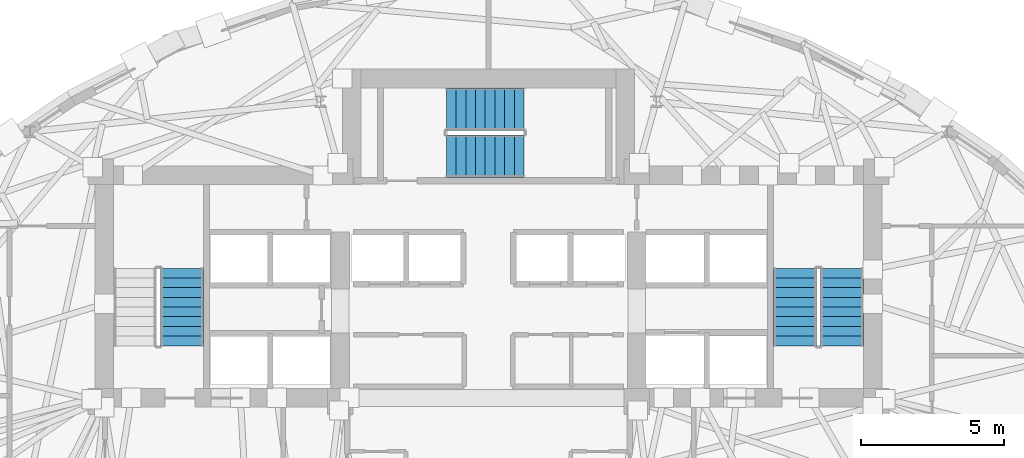
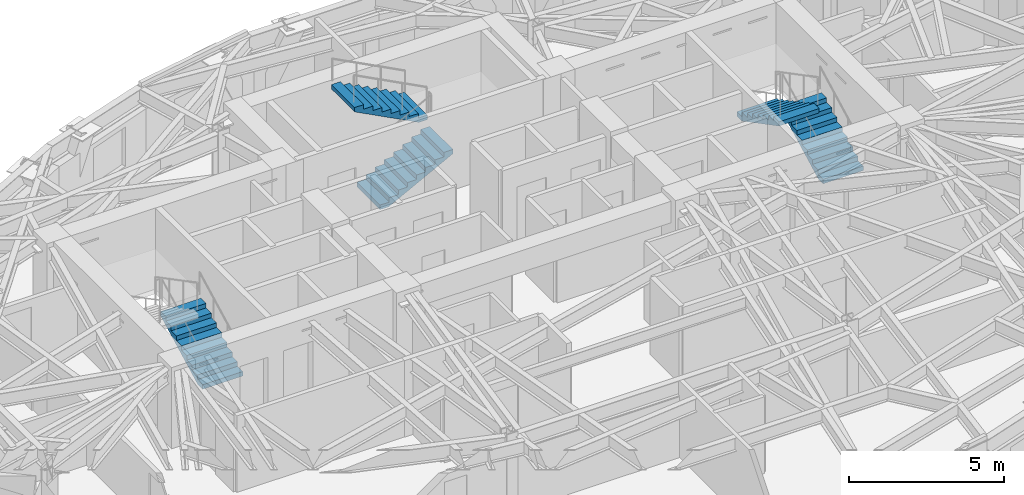
# One storey, part 11 of 15: 5 stair flights, 3 elements without a shape of their own.
"""IFC4 building model written with IfcOpenShell, lengths in metres."""

from ifc_helpers import new_model, si_unit, direction, frame, origin, place, context, subcontext, project, spatial, polyline, outline, extrude, material, type_object, element, aggregate, save


model = new_model("IFC4")

# Units and contexts
model_context = context("Model", 3, precision=1e-05, world=origin(), true_north=direction((0.0, 1.0)))
body_context = subcontext(model_context, "Body", "Model", "MODEL_VIEW")
ifc_project = project(units=[si_unit("LENGTHUNIT", "METRE"), si_unit("AREAUNIT", "SQUARE_METRE"), si_unit("VOLUMEUNIT", "CUBIC_METRE"), si_unit("PLANEANGLEUNIT", "RADIAN"), si_unit("MASSUNIT", "GRAM", prefix="KILO")], contexts=[model_context])

# Site, building, storey
site_placement = place(None, origin())
site = spatial("IfcSite", under=ifc_project, at=site_placement, CompositionType="ELEMENT")
building_placement = place(site_placement, origin())
building = spatial("IfcBuilding", under=site, at=building_placement, Name="Keldmark Tower", CompositionType="ELEMENT")
storey_placement = place(building_placement, frame((0.0, 0.0, 195.0)))
storey = spatial("IfcBuildingStorey", under=building, at=storey_placement, Name="L54", CompositionType="ELEMENT", Elevation=195.0)

# Stair, stair flight
ifc_material_1 = material(Name="Concrete C40/50", Category="concrete")
stair_type = type_object("IfcStairType", Name="Precast Concrete Core Exit Stair", PredefinedType="HALF_TURN_STAIR", material=ifc_material_1)
stair_1_placement = place(storey_placement, origin())
stair_1 = element("IfcStair", 1, at=stair_1_placement, inside=storey, type_object=stair_type, Name="L54 Exit Stair ST1", PredefinedType="HALF_TURN_STAIR")
ifc_material_2 = material(Name="Concrete C40/50", Category="concrete")
stair_flight_type = type_object("IfcStairFlightType", Name="Precast Concrete Stair Flight 1500 mm", PredefinedType="STRAIGHT", material=ifc_material_2)
stair_flight_1_placement = place(storey_placement, frame((-10.75, 3.35009765625, 0.0), z_axis=(0.0, 0.0, 1.0), x_axis=(0.0, 1.0, 0.0)))
stair_flight_1 = element("IfcStairFlight", 2, at=stair_flight_1_placement, type_object=stair_flight_type, Name="ST1 flight 1", NumberOfRisers=9, NumberOfTreads=8, PredefinedType="STRAIGHT", RiserHeight=0.177777778, TreadLength=0.34, context=body_context, shape_type="SweptSolid", body=[
    extrude(outline(polyline([(0.0, 0.0), (0.0, 0.177734375), (0.340087890625, 0.177734375), (0.340087890625, 0.35546875), (0.679931640625, 0.35546875), (0.679931640625, 0.533447265625), (1.02001953125, 0.533447265625), (1.02001953125, 0.711181640625), (1.360107421875, 0.711181640625), (1.360107421875, 0.888916015625), (1.699951171875, 0.888916015625), (1.699951171875, 1.066650390625), (2.0400390625, 1.066650390625), (2.0400390625, 1.244384765625), (2.3798828125, 1.244384765625), (2.3798828125, 1.422119140625), (2.719970703125, 1.422119140625), (2.719970703125, 1.60009765625), (2.719970703125, 1.253173828125), (0.323486328125, 0.0), (0.0, 0.0)])), frame((0.0, 0.75, 0.0), z_axis=(0.0, -1.0, 0.0), x_axis=(1.0, 0.0, 0.0)), (0.0, 0.0, 1.0), 1.5),
])
aggregate(stair_1, [stair_flight_1])

# Stair, stair flights
stair_2_placement = place(storey_placement, origin())
stair_2 = element("IfcStair", 3, at=stair_2_placement, inside=storey, type_object=stair_type, Name="L54 Exit Stair ST2", PredefinedType="HALF_TURN_STAIR")
stair_flight_2_placement = place(storey_placement, frame((12.39990234375, 3.35009765625, 0.0), z_axis=(0.0, 0.0, 1.0), x_axis=(0.0, 1.0, 0.0)))
stair_flight_2 = element("IfcStairFlight", 4, at=stair_flight_2_placement, type_object=stair_flight_type, Name="ST2 flight 1", NumberOfRisers=9, NumberOfTreads=8, PredefinedType="STRAIGHT", RiserHeight=0.177777778, TreadLength=0.34, context=body_context, shape_type="SweptSolid", body=[
    extrude(outline(polyline([(0.0, 0.0), (0.0, 0.177734375), (0.340087890625, 0.177734375), (0.340087890625, 0.35546875), (0.679931640625, 0.35546875), (0.679931640625, 0.533447265625), (1.02001953125, 0.533447265625), (1.02001953125, 0.711181640625), (1.360107421875, 0.711181640625), (1.360107421875, 0.888916015625), (1.699951171875, 0.888916015625), (1.699951171875, 1.066650390625), (2.0400390625, 1.066650390625), (2.0400390625, 1.244384765625), (2.3798828125, 1.244384765625), (2.3798828125, 1.422119140625), (2.719970703125, 1.422119140625), (2.719970703125, 1.60009765625), (2.719970703125, 1.253173828125), (0.323486328125, 0.0), (0.0, 0.0)])), frame((0.0, 0.75, 0.0), z_axis=(0.0, -1.0, 0.0), x_axis=(1.0, 0.0, 0.0)), (0.0, 0.0, 1.0), 1.5),
])
stair_flight_3_placement = place(storey_placement, frame((10.75, 6.070068359375, 1.60009765625), z_axis=(0.0, 0.0, 1.0), x_axis=(0.0, -1.0, 0.0)))
stair_flight_3 = element("IfcStairFlight", 5, at=stair_flight_3_placement, type_object=stair_flight_type, Name="ST2 flight 2", NumberOfRisers=9, NumberOfTreads=8, PredefinedType="STRAIGHT", RiserHeight=0.177777778, TreadLength=0.34, context=body_context, shape_type="SweptSolid", body=[
    extrude(outline(polyline([(0.0, 0.0), (0.0, 0.177734375), (0.340087890625, 0.177734375), (0.340087890625, 0.35546875), (0.679931640625, 0.35546875), (0.679931640625, 0.533447265625), (1.02001953125, 0.533447265625), (1.02001953125, 0.711181640625), (1.360107421875, 0.711181640625), (1.360107421875, 0.888916015625), (1.699951171875, 0.888916015625), (1.699951171875, 1.066650390625), (2.0400390625, 1.066650390625), (2.0400390625, 1.244384765625), (2.3798828125, 1.244384765625), (2.3798828125, 1.422119140625), (2.719970703125, 1.422119140625), (2.719970703125, 1.60009765625), (2.719970703125, 1.253173828125), (0.323486328125, 0.0), (0.0, 0.0)])), frame((0.0, 0.75, 0.0), z_axis=(0.0, -1.0, 0.0), x_axis=(1.0, 0.0, 0.0)), (0.0, 0.0, 1.0), 1.5),
])
aggregate(stair_2, [stair_flight_2, stair_flight_3])

stair_3_placement = place(storey_placement, origin())
stair_3 = element("IfcStair", 6, at=stair_3_placement, inside=storey, type_object=stair_type, Name="L54 Exit Stair ST3", PredefinedType="HALF_TURN_STAIR")
stair_flight_4_placement = place(storey_placement, frame((-1.47509765625, 10.0, 0.0), z_axis=(0.0, 0.0, 1.0), x_axis=(1.0, 0.0, 0.0)))
stair_flight_4 = element("IfcStairFlight", 7, at=stair_flight_4_placement, type_object=stair_flight_type, Name="ST3 flight 1", NumberOfRisers=9, NumberOfTreads=8, PredefinedType="STRAIGHT", RiserHeight=0.177777778, TreadLength=0.34, context=body_context, shape_type="SweptSolid", body=[
    extrude(outline(polyline([(0.0, 0.0), (0.0, 0.177734375), (0.340087890625, 0.177734375), (0.340087890625, 0.35546875), (0.679931640625, 0.35546875), (0.679931640625, 0.533447265625), (1.02001953125, 0.533447265625), (1.02001953125, 0.711181640625), (1.360107421875, 0.711181640625), (1.360107421875, 0.888916015625), (1.699951171875, 0.888916015625), (1.699951171875, 1.066650390625), (2.0400390625, 1.066650390625), (2.0400390625, 1.244384765625), (2.3798828125, 1.244384765625), (2.3798828125, 1.422119140625), (2.719970703125, 1.422119140625), (2.719970703125, 1.60009765625), (2.719970703125, 1.253173828125), (0.323486328125, 0.0), (0.0, 0.0)])), frame((0.0, 0.75, 0.0), z_axis=(0.0, -1.0, 0.0), x_axis=(1.0, 0.0, 0.0)), (0.0, 0.0, 1.0), 1.5),
])
stair_flight_5_placement = place(storey_placement, frame((1.2451171875, 11.64990234375, 1.60009765625), z_axis=(0.0, 0.0, 1.0), x_axis=(-1.0, 0.0, 0.0)))
stair_flight_5 = element("IfcStairFlight", 8, at=stair_flight_5_placement, type_object=stair_flight_type, Name="ST3 flight 2", NumberOfRisers=9, NumberOfTreads=8, PredefinedType="STRAIGHT", RiserHeight=0.177777778, TreadLength=0.34, context=body_context, shape_type="SweptSolid", body=[
    extrude(outline(polyline([(0.0, 0.0), (0.0, 0.177734375), (0.340087890625, 0.177734375), (0.340087890625, 0.35546875), (0.679931640625, 0.35546875), (0.679931640625, 0.533447265625), (1.02001953125, 0.533447265625), (1.02001953125, 0.711181640625), (1.360107421875, 0.711181640625), (1.360107421875, 0.888916015625), (1.699951171875, 0.888916015625), (1.699951171875, 1.066650390625), (2.0400390625, 1.066650390625), (2.0400390625, 1.244384765625), (2.3798828125, 1.244384765625), (2.3798828125, 1.422119140625), (2.719970703125, 1.422119140625), (2.719970703125, 1.60009765625), (2.719970703125, 1.253173828125), (0.323486328125, 0.0), (0.0, 0.0)])), frame((0.0, 0.75, 0.0), z_axis=(0.0, -1.0, 0.0), x_axis=(1.0, 0.0, 0.0)), (0.0, 0.0, 1.0), 1.5),
])
aggregate(stair_3, [stair_flight_4, stair_flight_5])

save(model, "model.ifc")
